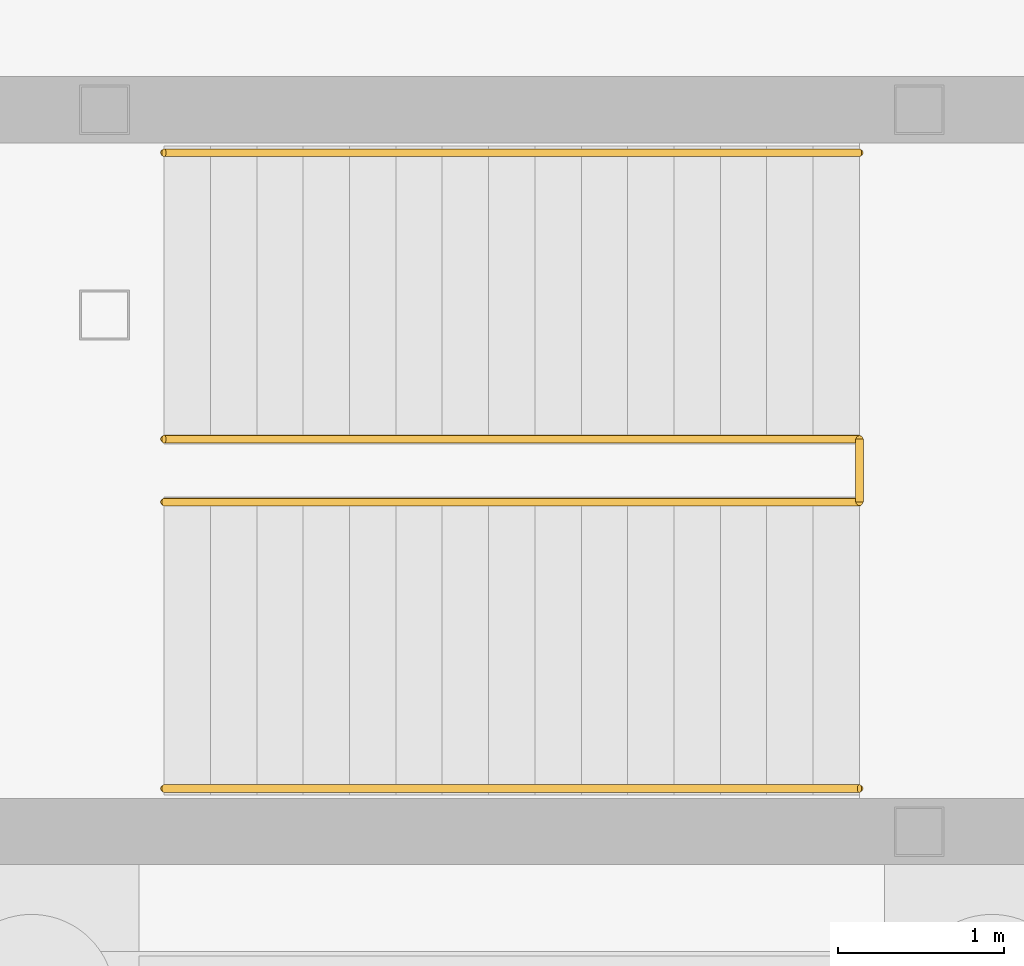
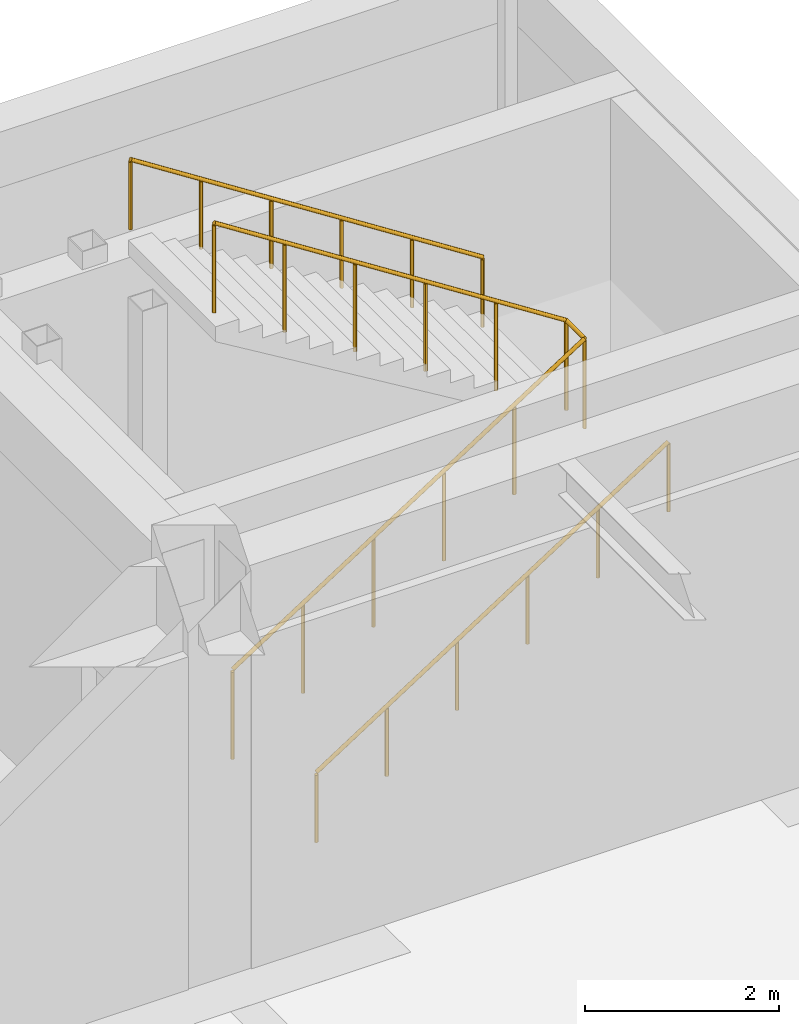
# One storey, part 52 of 56: 5 railings.
"""IFC4 building model written with IfcOpenShell, lengths in metres."""

from ifc_helpers import new_model, si_unit, direction, frame, origin, origin_2d, place, context, subcontext, project, spatial, circle, extrude, material, layer, layer_set, type_object, element, save


model = new_model("IFC4")

# Units and contexts
model_context = context("Model", 3, precision=1e-05, world=origin(), true_north=direction((0.0, 1.0)))
body_context = subcontext(model_context, "Body", "Model", "MODEL_VIEW")
ifc_project = project(units=[si_unit("LENGTHUNIT", "METRE"), si_unit("AREAUNIT", "SQUARE_METRE"), si_unit("VOLUMEUNIT", "CUBIC_METRE"), si_unit("PLANEANGLEUNIT", "RADIAN"), si_unit("MASSUNIT", "GRAM", prefix="KILO")], contexts=[model_context])

# Site, building, storey
site_placement = place(None, origin())
site = spatial("IfcSite", under=ifc_project, at=site_placement, CompositionType="ELEMENT")
building_placement = place(site_placement, origin())
building = spatial("IfcBuilding", under=site, at=building_placement, Name="Naruveol Harbour Congress Hotel", CompositionType="ELEMENT")
storey_placement = place(building_placement, frame((0.0, 0.0, -5.39990234375)))
storey = spatial("IfcBuildingStorey", under=building, at=storey_placement, Name="B01", CompositionType="ELEMENT", Elevation=-5.39990234375)

# Railings
ifc_material_1 = material(Name="Stainless Steel 304", Category="steel")
ifc_layer_1 = layer(ifc_material_1, 0.0419921875)
ifc_layer_set_1 = layer_set([ifc_layer_1], Name="Stainless Steel 304")
railing_type_1 = type_object("IfcRailingType", Name="STAIR WALL MOUNTED HANDRAIL 900", PredefinedType="HANDRAIL", material=ifc_layer_set_1)
railing_1_placement = place(storey_placement, frame((35.699951171875, 105.260009765625, 0.0)))
element("IfcRailing", 1, at=railing_1_placement, inside=storey, type_object=railing_type_1, Name="Stair ST7 B01 lower wall handrail", PredefinedType="HANDRAIL", context=body_context, shape_type="SweptSolid", body=[
    extrude(circle(Radius=0.02392578125, at=origin_2d()), frame((0.0, 0.0, 0.8759765625), z_axis=(0.841180064094, 0.0, 0.540755119968), x_axis=(0.0, 1.0, 0.0)), (0.0, 0.0, 1.0), 4.992919921875),
    extrude(circle(Radius=0.02099609375, at=origin_2d()), origin(), (0.0, 0.0, 1.0), 0.851806640625),
    extrude(circle(Radius=0.02099609375, at=origin_2d()), frame((0.840087890625, 0.0, 0.5400390625)), (0.0, 0.0, 1.0), 0.851806640625),
    extrude(circle(Radius=0.02099609375, at=origin_2d()), frame((1.679931640625, 0.0, 1.080078125)), (0.0, 0.0, 1.0), 0.851806640625),
    extrude(circle(Radius=0.02099609375, at=origin_2d()), frame((2.52001953125, 0.0, 1.619873046875)), (0.0, 0.0, 1.0), 0.851806640625),
    extrude(circle(Radius=0.02099609375, at=origin_2d()), frame((3.35986328125, 0.0, 2.159912109375)), (0.0, 0.0, 1.0), 0.851806640625),
    extrude(circle(Radius=0.02099609375, at=origin_2d()), frame((4.199951171875, 0.0, 2.699951171875)), (0.0, 0.0, 1.0), 0.851806640625),
])
railing_2_placement = place(storey_placement, frame((39.89990234375, 109.10009765625, 2.699951171875)))
element("IfcRailing", 2, at=railing_2_placement, inside=storey, type_object=railing_type_1, Name="Stair ST7 B01 upper wall handrail", PredefinedType="HANDRAIL", context=body_context, shape_type="SweptSolid", body=[
    extrude(circle(Radius=0.02392578125, at=origin_2d()), frame((0.0, 0.0, 0.8759765625), z_axis=(-0.841180064094, 0.0, 0.540755119968), x_axis=(0.0, -1.0, 0.0)), (0.0, 0.0, 1.0), 4.992919921875),
    extrude(circle(Radius=0.02099609375, at=origin_2d()), origin(), (0.0, 0.0, 1.0), 0.851806640625),
    extrude(circle(Radius=0.02099609375, at=origin_2d()), frame((-0.840087890625, 0.0, 0.5400390625)), (0.0, 0.0, 1.0), 0.851806640625),
    extrude(circle(Radius=0.02099609375, at=origin_2d()), frame((-1.679931640625, 0.0, 1.080078125)), (0.0, 0.0, 1.0), 0.851806640625),
    extrude(circle(Radius=0.02099609375, at=origin_2d()), frame((-2.52001953125, 0.0, 1.619873046875)), (0.0, 0.0, 1.0), 0.851806640625),
    extrude(circle(Radius=0.02099609375, at=origin_2d()), frame((-3.35986328125, 0.0, 2.159912109375)), (0.0, 0.0, 1.0), 0.851806640625),
    extrude(circle(Radius=0.02099609375, at=origin_2d()), frame((-4.199951171875, 0.0, 2.699951171875)), (0.0, 0.0, 1.0), 0.851806640625),
])
ifc_material_2 = material(Name="Steel SN490", Category="steel")
ifc_layer_2 = layer(ifc_material_2, 0.044921875)
ifc_layer_set_2 = layer_set([ifc_layer_2], Name="Steel SN490")
railing_type_2 = type_object("IfcRailingType", Name="STAIRWELL STEEL GUARDRAIL 1150", PredefinedType="GUARDRAIL", material=ifc_layer_set_2)
railing_3_placement = place(storey_placement, frame((35.699951171875, 106.989990234375, 0.0)))
element("IfcRailing", 3, at=railing_3_placement, inside=storey, type_object=railing_type_2, Name="Stair ST7 B01 lower well guard", PredefinedType="GUARDRAIL", context=body_context, shape_type="SweptSolid", body=[
    extrude(circle(Radius=0.02392578125, at=origin_2d()), frame((0.0, 0.0, 1.1259765625), z_axis=(0.841180064094, 0.0, 0.540755119968), x_axis=(0.0, 1.0, 0.0)), (0.0, 0.0, 1.0), 4.992919921875),
    extrude(circle(Radius=0.02099609375, at=origin_2d()), origin(), (0.0, 0.0, 1.0), 1.101806640625),
    extrude(circle(Radius=0.02099609375, at=origin_2d()), frame((0.840087890625, 0.0, 0.5400390625)), (0.0, 0.0, 1.0), 1.101806640625),
    extrude(circle(Radius=0.02099609375, at=origin_2d()), frame((1.679931640625, 0.0, 1.080078125)), (0.0, 0.0, 1.0), 1.101806640625),
    extrude(circle(Radius=0.02099609375, at=origin_2d()), frame((2.52001953125, 0.0, 1.619873046875)), (0.0, 0.0, 1.0), 1.101806640625),
    extrude(circle(Radius=0.02099609375, at=origin_2d()), frame((3.35986328125, 0.0, 2.159912109375)), (0.0, 0.0, 1.0), 1.101806640625),
    extrude(circle(Radius=0.02099609375, at=origin_2d()), frame((4.199951171875, 0.0, 2.699951171875)), (0.0, 0.0, 1.0), 1.101806640625),
])
railing_4_placement = place(storey_placement, frame((39.89990234375, 106.989990234375, 2.699951171875)))
element("IfcRailing", 4, at=railing_4_placement, inside=storey, type_object=railing_type_2, Name="Stair ST7 B01 half-landing slot guard", PredefinedType="GUARDRAIL", context=body_context, shape_type="SweptSolid", body=[
    extrude(circle(Radius=0.02392578125, at=origin_2d()), frame((0.0, 0.0, 1.1259765625), z_axis=(0.0, 1.0, 0.0), x_axis=(-1.0, 0.0, 0.0)), (0.0, 0.0, 1.0), 0.380126953125),
    extrude(circle(Radius=0.02099609375, at=origin_2d()), origin(), (0.0, 0.0, 1.0), 1.101806640625),
    extrude(circle(Radius=0.02099609375, at=origin_2d()), frame((0.0, 0.380126953125, 0.0)), (0.0, 0.0, 1.0), 1.101806640625),
])
railing_5_placement = place(storey_placement, frame((39.89990234375, 107.3701171875, 2.699951171875)))
element("IfcRailing", 5, at=railing_5_placement, inside=storey, type_object=railing_type_2, Name="Stair ST7 B01 upper well guard", PredefinedType="GUARDRAIL", context=body_context, shape_type="SweptSolid", body=[
    extrude(circle(Radius=0.02392578125, at=origin_2d()), frame((0.0, 0.0, 1.1259765625), z_axis=(-0.841180064094, 0.0, 0.540755119968), x_axis=(0.0, -1.0, 0.0)), (0.0, 0.0, 1.0), 4.992919921875),
    extrude(circle(Radius=0.02099609375, at=origin_2d()), origin(), (0.0, 0.0, 1.0), 1.101806640625),
    extrude(circle(Radius=0.02099609375, at=origin_2d()), frame((-0.840087890625, 0.0, 0.5400390625)), (0.0, 0.0, 1.0), 1.101806640625),
    extrude(circle(Radius=0.02099609375, at=origin_2d()), frame((-1.679931640625, 0.0, 1.080078125)), (0.0, 0.0, 1.0), 1.101806640625),
    extrude(circle(Radius=0.02099609375, at=origin_2d()), frame((-2.52001953125, 0.0, 1.619873046875)), (0.0, 0.0, 1.0), 1.101806640625),
    extrude(circle(Radius=0.02099609375, at=origin_2d()), frame((-3.35986328125, 0.0, 2.159912109375)), (0.0, 0.0, 1.0), 1.101806640625),
    extrude(circle(Radius=0.02099609375, at=origin_2d()), frame((-4.199951171875, 0.0, 2.699951171875)), (0.0, 0.0, 1.0), 1.101806640625),
])

save(model, "model.ifc")
